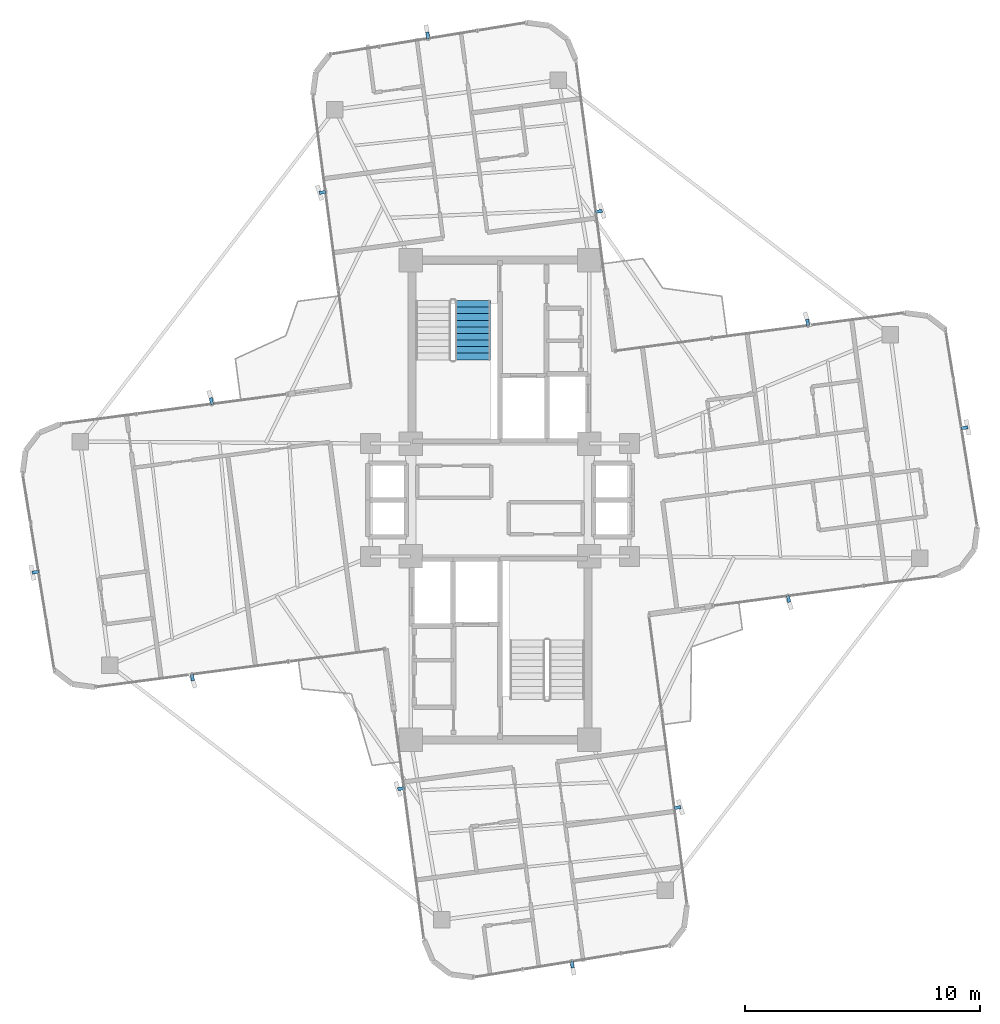
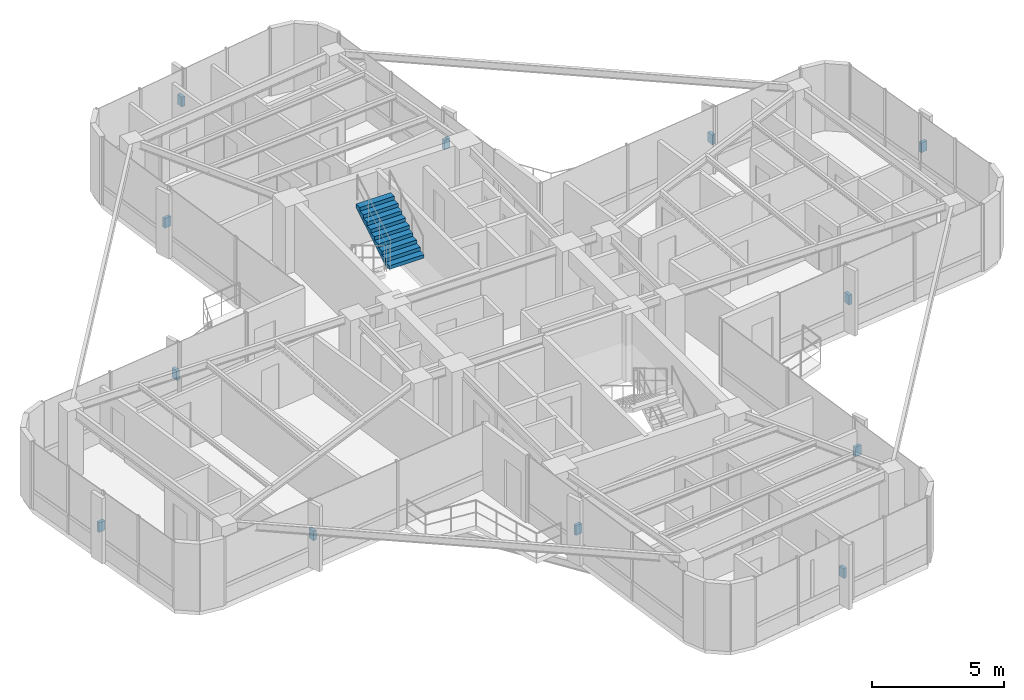
# One storey, part 21 of 22: 12 discrete accessories, 1 stair flight, 1 element without a shape of its own.
"""IFC4 building model written with IfcOpenShell, lengths in metres."""

from ifc_helpers import new_model, si_unit, direction, frame, origin, origin_2d, place, context, subcontext, project, spatial, polyline, rectangle, outline, extrude, source, transform, mapped, material, type_object, element, aggregate, save


model = new_model("IFC4")

# Units and contexts
model_context = context("Model", 3, precision=1e-05, world=origin(), true_north=direction((0.0, 1.0)))
body_context = subcontext(model_context, "Body", "Model", "MODEL_VIEW")
ifc_project = project(units=[si_unit("LENGTHUNIT", "METRE"), si_unit("AREAUNIT", "SQUARE_METRE"), si_unit("VOLUMEUNIT", "CUBIC_METRE"), si_unit("PLANEANGLEUNIT", "RADIAN"), si_unit("MASSUNIT", "GRAM", prefix="KILO")], contexts=[model_context])

# Site, building, storey
site_placement = place(None, origin())
site = spatial("IfcSite", under=ifc_project, at=site_placement, CompositionType="ELEMENT")
building_placement = place(site_placement, origin())
building = spatial("IfcBuilding", under=site, at=building_placement, Name="Sahyath Konkavel Grand Hotel", CompositionType="ELEMENT")
storey_placement = place(building_placement, frame((0.0, 0.0, 223.25)))
storey = spatial("IfcBuildingStorey", under=building, at=storey_placement, Name="L62", CompositionType="ELEMENT", Elevation=223.25)

# Stair, stair flight
ifc_material_1 = material(Name="Concrete C40/50", Category="concrete")
stair_type = type_object("IfcStairType", Name="STR-ST16-335", PredefinedType="HALF_TURN_STAIR", material=ifc_material_1)
stair_placement = place(storey_placement, origin())
stair = element("IfcStair", 1, at=stair_placement, inside=storey, type_object=stair_type, Name="L62 North Core Smokeproof Exit Stair ST-1", PredefinedType="HALF_TURN_STAIR")
stair_flight_type = type_object("IfcStairFlightType", Name="STF-ST16-335", PredefinedType="STRAIGHT", material=ifc_material_1)
stair_flight_placement = place(storey_placement, frame((-1.159912109375, 5.9599609375, 1.675048828125), z_axis=(0.0, 0.0, 1.0), x_axis=(0.0, 1.0, 0.0)))
stair_flight = element("IfcStairFlight", 2, at=stair_flight_placement, type_object=stair_flight_type, Name="ST-1 flight 2", NumberOfRisers=10, NumberOfTreads=9, PredefinedType="STRAIGHT", RiserHeight=0.1675, TreadLength=0.28, context=body_context, shape_type="SweptSolid", body=[
    extrude(outline(polyline([(0.0, 0.0), (0.0, 0.16748046875), (0.280029296875, 0.16748046875), (0.280029296875, 0.3349609375), (0.56005859375, 0.3349609375), (0.56005859375, 0.50244140625), (0.840087890625, 0.50244140625), (0.840087890625, 0.669921875), (1.1201171875, 0.669921875), (1.1201171875, 0.83740234375), (1.39990234375, 0.83740234375), (1.39990234375, 1.0048828125), (1.679931640625, 1.0048828125), (1.679931640625, 1.172607421875), (1.9599609375, 1.172607421875), (1.9599609375, 1.340087890625), (2.239990234375, 1.340087890625), (2.239990234375, 1.507568359375), (2.52001953125, 1.507568359375), (2.52001953125, 1.675048828125), (2.52001953125, 1.332763671875), (0.2919921875, 0.0), (0.0, 0.0)])), frame((0.0, 0.760009765625, 0.0), z_axis=(0.0, -1.0, 0.0), x_axis=(1.0, 0.0, 0.0)), (0.0, 0.0, 1.0), 1.52001953125),
])
aggregate(stair, [stair_flight])

# Discrete accessories
ifc_material_2 = material(Name="Steel E350", Category="steel")
discrete_accessory_type = type_object("IfcDiscreteAccessoryType", Name="ACC-FIN-BRACKET", PredefinedType="BRACKET", material=ifc_material_2)
shared_shape = source(origin(), body_context, "Body", "SweptSolid", [
    extrude(rectangle(XDim=0.280029296875, YDim=0.139892578125, at=origin_2d()), origin(), (0.0, 0.0, 1.0), 0.449951171875),
])
for number, where, z_axis, x_axis, name in (
    (3, (12.269775390625, -4.20654296875, 1.330078125), (0.0, 0.0, 1.0), (0.13052619222, -0.991444861374, 0.0), "L62 Fin Support Bracket F0-1"),
    (4, (19.747314453125, 3.070068359375, 1.330078125), (0.0, 0.0, 1.0), (0.98722262463, 0.159347072199, 0.0), "L62 Fin Support Bracket F4-2"),
    (5, (13.076416015625, 7.54345703125, 1.330078125), (0.0, 0.0, 1.0), (-0.13052619222, 0.991444861374, 0.0), "L62 Fin Support Bracket F7-1"),
    (6, (4.20654296875, 12.269775390625, 1.330078125), (0.0, 0.0, 1.0), (0.991444861374, 0.13052619222, 0.0), "L62 Fin Support Bracket F8-1"),
    (7, (-3.070068359375, 19.747314453125, 1.330078125), (0.0, 0.0, 1.0), (-0.159347072199, 0.98722262463, 0.0), "L62 Fin Support Bracket F12-2"),
    (8, (-7.54345703125, 13.076416015625, 1.330078125), (0.0, 0.0, 1.0), (-0.991444861374, -0.13052619222, 0.0), "L62 Fin Support Bracket F15-1"),
    (9, (-12.269775390625, 4.20654296875, 1.330078125), (0.0, 0.0, 1.0), (-0.13052619222, 0.991444861374, 0.0), "L62 Fin Support Bracket F16-1"),
    (10, (-19.747314453125, -3.070068359375, 1.330078125), (0.0, 0.0, 1.0), (-0.98722262463, -0.159347072199, 0.0), "L62 Fin Support Bracket F20-2"),
    (11, (-13.076416015625, -7.54345703125, 1.330078125), (0.0, 0.0, 1.0), (0.13052619222, -0.991444861374, 0.0), "L62 Fin Support Bracket F23-1"),
    (12, (-4.20654296875, -12.269775390625, 1.330078125), (0.0, 0.0, 1.0), (-0.991444861374, -0.13052619222, 0.0), "L62 Fin Support Bracket F24-1"),
    (13, (3.070068359375, -19.747314453125, 1.330078125), (0.0, 0.0, 1.0), (0.159347072199, -0.98722262463, 0.0), "L62 Fin Support Bracket F28-2"),
    (14, (7.54345703125, -13.076416015625, 1.330078125), (0.0, 0.0, 1.0), (0.991444861374, 0.13052619222, 0.0), "L62 Fin Support Bracket F31-1"),
):
    element("IfcDiscreteAccessory", number, at=place(storey_placement, frame(where, z_axis=z_axis, x_axis=x_axis)), inside=storey, type_object=discrete_accessory_type, Name=name, PredefinedType="BRACKET", context=body_context, shape_type="MappedRepresentation", body=[
        mapped(shared_shape, transform((0.0, 0.0, 0.0), scale=1.0)),
    ])

save(model, "model.ifc")
